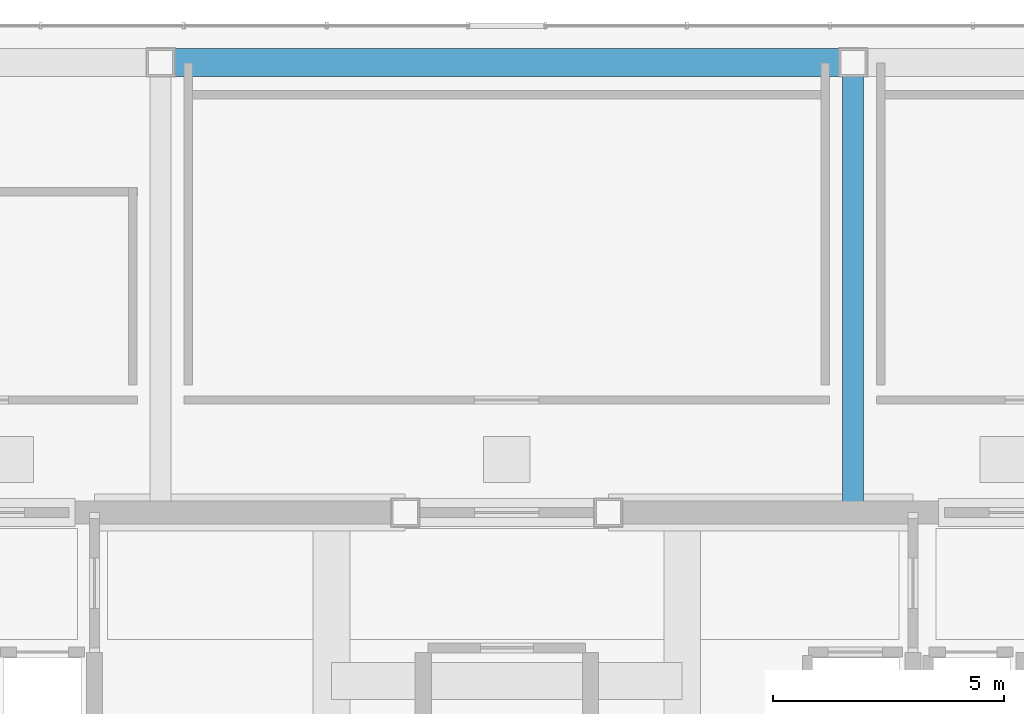
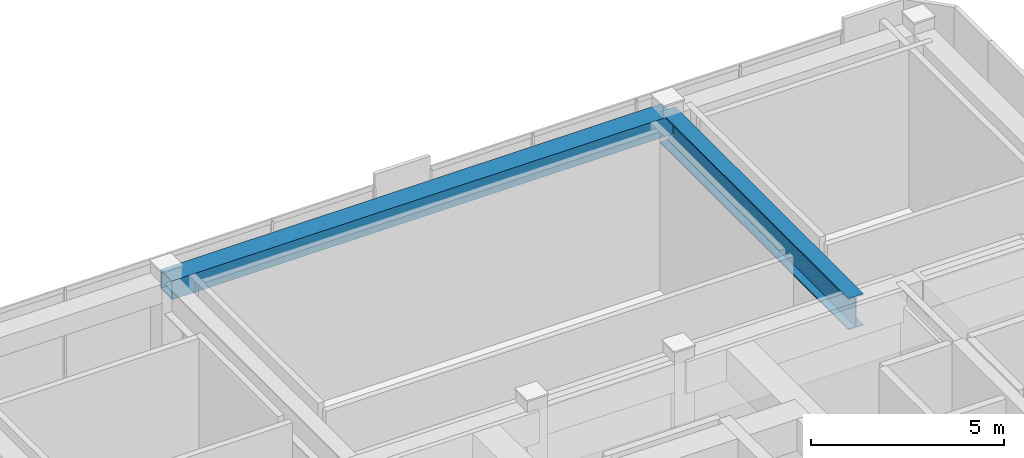
# One storey, part 4 of 9: 2 beams.
"""IFC4 building model written with IfcOpenShell, lengths in metres."""

from ifc_helpers import new_model, si_unit, direction, frame, origin, origin_2d, place, context, subcontext, project, spatial, hollow_rectangle, i_section, extrude, material, material_profile, profile_set, type_object, element, save


model = new_model("IFC4")

# Units and contexts
model_context = context("Model", 3, precision=1e-05, world=origin(), true_north=direction((0.0, 1.0)))
body_context = subcontext(model_context, "Body", "Model", "MODEL_VIEW")
ifc_project = project(units=[si_unit("LENGTHUNIT", "METRE"), si_unit("AREAUNIT", "SQUARE_METRE"), si_unit("VOLUMEUNIT", "CUBIC_METRE"), si_unit("PLANEANGLEUNIT", "RADIAN"), si_unit("MASSUNIT", "GRAM", prefix="KILO")], contexts=[model_context])

# Site, building, storey
site_placement = place(None, origin())
site = spatial("IfcSite", under=ifc_project, at=site_placement, CompositionType="ELEMENT")
building_placement = place(site_placement, origin())
building = spatial("IfcBuilding", under=site, at=building_placement, Name="Ventersveld Concourse Tower", CompositionType="ELEMENT")
storey_placement = place(building_placement, frame((0.0, 0.0, 388.25)))
storey = spatial("IfcBuildingStorey", under=building, at=storey_placement, Name="L94", CompositionType="ELEMENT", Elevation=388.25)

# Beams
ifc_material_1 = material(Name="Structural steel S355ML", Category="steel")
ifc_material_profile_1 = material_profile(ifc_material_1, hollow_rectangle(XDim=0.60009765625, YDim=0.60009765625, WallThickness=0.0400390625, at=origin_2d()), Name="BOX 600x600x40")
ifc_profile_set_1 = profile_set([ifc_material_profile_1], Name="Structural steel S355ML")
beam_type_1 = type_object("IfcBeamType", Name="SPD-BOX600", PredefinedType="SPANDREL", material=ifc_profile_set_1)
beam_1_placement = place(storey_placement, frame((36.25, 21.199951171875, 4.699951171875), z_axis=(-1.0, 0.0, 0.0), x_axis=(0.0, -1.0, 0.0)))
element("IfcBeam", 1, at=beam_1_placement, inside=storey, type_object=beam_type_1, Name="L94 CROWN FRAME Perimeter Ring Beam 5", PredefinedType="SPANDREL", context=body_context, shape_type="SweptSolid", body=[
    extrude(hollow_rectangle(XDim=0.60009765625, YDim=0.60009765625, WallThickness=0.0400390625, at=origin_2d()), origin(), (0.0, 0.0, 1.0), 15.0),
])
ifc_material_2 = material(Name="Structural steel S460ML", Category="steel")
ifc_material_profile_2 = material_profile(ifc_material_2, i_section(OverallWidth=0.449951171875, OverallDepth=1.0, WebThickness=0.02392578125, FlangeThickness=0.0400390625, at=origin_2d()), Name="PG 1000x450x40")
ifc_profile_set_2 = profile_set([ifc_material_profile_2], Name="Structural steel S460ML")
beam_type_2 = type_object("IfcBeamType", Name="TG-PG1000", PredefinedType="USERDEFINED", material=ifc_profile_set_2)
beam_2_placement = place(storey_placement, frame((36.25, 11.449951171875, 4.5), z_axis=(0.0, 1.0, 0.0), x_axis=(-1.0, 0.0, 0.0)))
element("IfcBeam", 2, at=beam_2_placement, inside=storey, type_object=beam_type_2, Name="L94 Crown Interior Girder E", ObjectType="TRANSFER_GIRDER", PredefinedType="USERDEFINED", context=body_context, shape_type="SweptSolid", body=[
    extrude(i_section(OverallWidth=0.449951171875, OverallDepth=1.0, WebThickness=0.02392578125, FlangeThickness=0.0400390625, at=origin_2d()), origin(), (0.0, 0.0, 1.0), 9.75),
])

save(model, "model.ifc")
